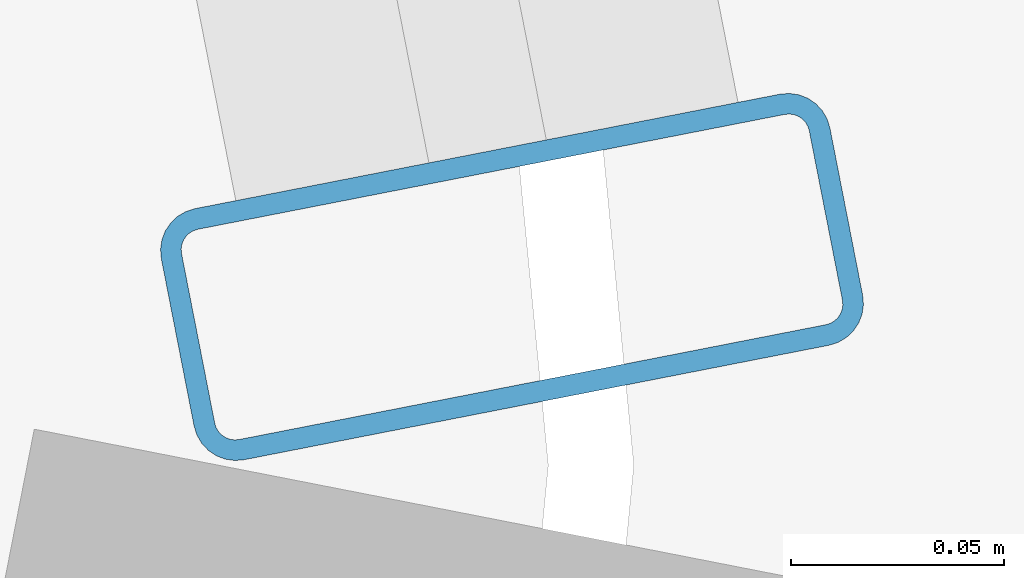
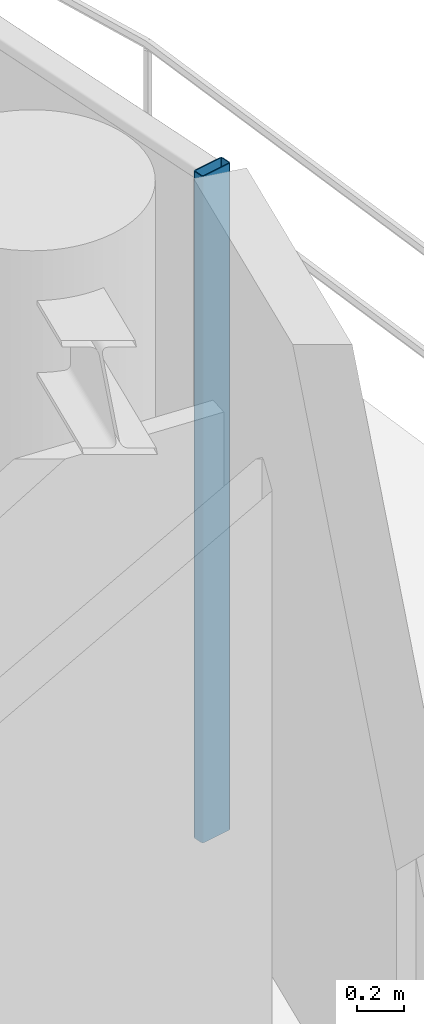
# One storey, part 14 of 31: 1 member, 1 element without a shape of its own.
"""IFC4 building model written with IfcOpenShell, lengths in metres."""

from ifc_helpers import new_model, si_unit, direction, frame, origin, origin_2d, place, context, subcontext, project, spatial, hollow_rectangle, extrude, material, layer, layer_set, material_profile, profile_set, type_object, element, aggregate, save


model = new_model("IFC4")

# Units and contexts
model_context = context("Model", 3, precision=1e-05, world=origin(), true_north=direction((0.0, 1.0)))
body_context = subcontext(model_context, "Body", "Model", "MODEL_VIEW")
ifc_project = project(units=[si_unit("LENGTHUNIT", "METRE"), si_unit("AREAUNIT", "SQUARE_METRE"), si_unit("VOLUMEUNIT", "CUBIC_METRE"), si_unit("PLANEANGLEUNIT", "RADIAN"), si_unit("MASSUNIT", "GRAM", prefix="KILO")], contexts=[model_context])

# Site, building, storey
site_placement = place(None, origin())
site = spatial("IfcSite", under=ifc_project, at=site_placement, CompositionType="ELEMENT")
building_placement = place(site_placement, origin())
building = spatial("IfcBuilding", under=site, at=building_placement, Name="Kelanora Arch Commons", CompositionType="ELEMENT")
storey_placement = place(building_placement, frame((0.0, 0.0, 193.199951171875)))
storey = spatial("IfcBuildingStorey", under=building, at=storey_placement, Name="L49", CompositionType="ELEMENT", Elevation=193.199951171875)

# Curtain wall, member
ifc_material_1 = material(Name="Terracotta ceramic-fritted low-E glass and aluminium", Category="masonry")
ifc_layer = layer(ifc_material_1, 0.175048828125)
ifc_layer_set = layer_set([ifc_layer], Name="Terracotta ceramic-fritted low-E glass and aluminium")
curtain_wall_type = type_object("IfcCurtainWallType", Name="CW-SYS-02", PredefinedType="NOTDEFINED", material=ifc_layer_set)
curtain_wall_placement = place(storey_placement, origin())
curtain_wall = element("IfcCurtainWall", 1, at=curtain_wall_placement, inside=storey, type_object=curtain_wall_type, Name="Unitised Curtain Wall L49-B00", PredefinedType="NOTDEFINED")
ifc_material_2 = material(Name="Powder-coated aluminium terracotta", Category="masonry")
ifc_material_profile = material_profile(ifc_material_2, hollow_rectangle(XDim=0.159912109375, YDim=0.06005859375, WallThickness=0.0048828125, InnerFilletRadius=0.0048828125, OuterFilletRadius=0.010009765625, at=origin_2d()), Name="CWM160x60")
ifc_profile_set = profile_set([ifc_material_profile], Name="Powder-coated aluminium terracotta")
member_type = type_object("IfcMemberType", Name="CWM-STD", PredefinedType="MULLION", material=ifc_profile_set)
member_placement = place(storey_placement, frame((96.19140625, 58.044189453125, 0.0), z_axis=(0.0, 0.0, 1.0), x_axis=(-0.981381438349, -0.192068926335, 0.0)))
member = element("IfcMember", 2, at=member_placement, type_object=member_type, Name="CW-02 mullion 1", PredefinedType="MULLION", context=body_context, shape_type="SweptSolid", body=[
    extrude(hollow_rectangle(XDim=0.159912109375, YDim=0.06005859375, WallThickness=0.0048828125, InnerFilletRadius=0.0048828125, OuterFilletRadius=0.010009765625, at=origin_2d()), origin(), (0.0, 0.0, 1.0), 3.47509765625),
])
aggregate(curtain_wall, [member])

save(model, "model.ifc")
